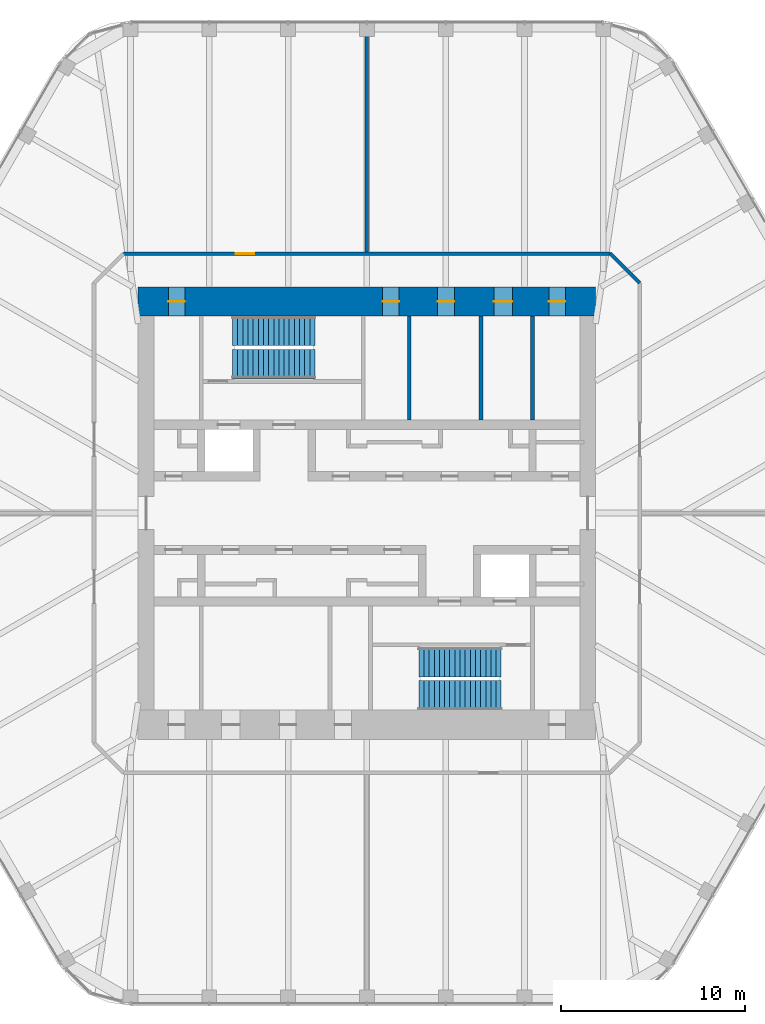
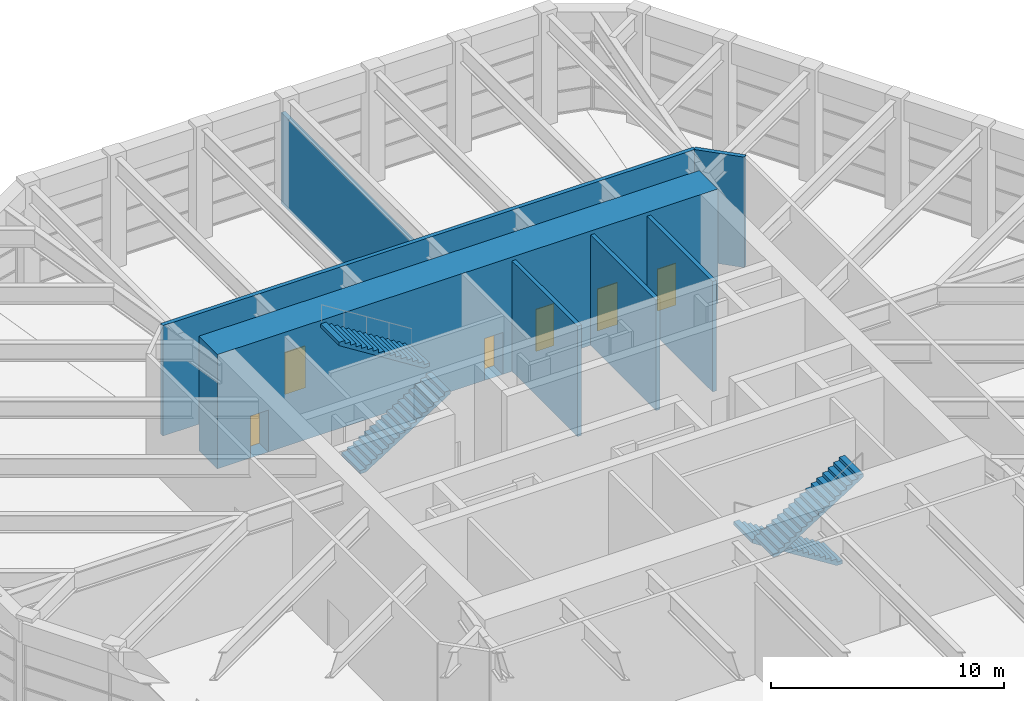
# One storey, part 15 of 16: 7 walls, 6 doors, 4 stair flights, 6 openings, 2 elements without a shape of their own.
"""IFC4 building model written with IfcOpenShell, lengths in metres."""

from ifc_helpers import new_model, si_unit, direction, frame, frame_2d, origin, place, context, subcontext, project, spatial, polyline, rectangle, outline, extrude, material, layer, layer_set, type_object, element, fill, aggregate, save


model = new_model("IFC4")

# Units and contexts
model_context = context("Model", 3, precision=1e-05, world=origin(), true_north=direction((0.0, 1.0)))
body_context = subcontext(model_context, "Body", "Model", "MODEL_VIEW")
ifc_project = project(units=[si_unit("LENGTHUNIT", "METRE"), si_unit("AREAUNIT", "SQUARE_METRE"), si_unit("VOLUMEUNIT", "CUBIC_METRE"), si_unit("PLANEANGLEUNIT", "RADIAN"), si_unit("MASSUNIT", "GRAM", prefix="KILO")], contexts=[model_context])

# Site, building, storey
site_placement = place(None, origin())
site = spatial("IfcSite", under=ifc_project, at=site_placement, CompositionType="ELEMENT")
building_placement = place(site_placement, origin())
building = spatial("IfcBuilding", under=site, at=building_placement, Name="Tarfa Lantern Tower", CompositionType="ELEMENT")
storey_placement = place(building_placement, frame((0.0, 0.0, 396.300048828125)))
storey = spatial("IfcBuildingStorey", under=building, at=storey_placement, Name="L90", CompositionType="ELEMENT", Elevation=396.300048828125)

# Walls
ifc_material_1 = material(Name="Concrete blockwork", Category="masonry")
ifc_layer_1 = layer(ifc_material_1, 0.199951171875)
ifc_layer_set_1 = layer_set([ifc_layer_1], Name="IW1 BLOCKWORK PARTITION 200 EI 120")
wall_type_1 = type_object("IfcWallType", Name="IW1 BLOCKWORK PARTITION 200 EI 120", PredefinedType="PARTITIONING", material=ifc_layer_set_1)
for number, where, z_axis, x_axis, name in (
    (1, (9.0, 5.050048828125, 0.0), (0.0, 0.0, 1.0), (0.0, 1.0, 0.0), "Core partition"),
    (2, (2.300048828125, 5.050048828125, 0.0), (0.0, 0.0, 1.0), (0.0, 1.0, 0.0), "Core partition"),
    (3, (6.199951171875, 5.050048828125, 0.0), (0.0, 0.0, 1.0), (0.0, 1.0, 0.0), "Core partition"),
):
    element("IfcWall", number, at=place(storey_placement, frame(where, z_axis=z_axis, x_axis=x_axis)), inside=storey, type_object=wall_type_1, Name=name, PredefinedType="PARTITIONING", context=body_context, shape_type="SweptSolid", body=[
        extrude(rectangle(XDim=5.64990234375, YDim=0.199951171875, at=frame_2d((2.824951171875, 0.0))), origin(), (0.0, 0.0, 1.0), 5.800048828125),
    ])

# Wall, opening, door
wall_1_placement = place(storey_placement, frame((-13.22509765625, 14.10009765625, 0.0), z_axis=(0.0, 0.0, 1.0), x_axis=(1.0, 0.0, 0.0)))
wall_1 = element("IfcWall", 4, at=wall_1_placement, inside=storey, type_object=wall_type_1, Name="Fire-rated partition", PredefinedType="PARTITIONING", context=body_context, shape_type="SweptSolid", body=[
    extrude(rectangle(XDim=26.4501953125, YDim=0.199951171875, at=frame_2d((13.22509765625, 0.0))), origin(), (0.0, 0.0, 1.0), 5.800048828125),
])
opening_1_placement = place(wall_1_placement, frame((6.112548828125, 0.0, 0.0)))
opening_1 = element("IfcOpeningElement", 5, at=opening_1_placement, cuts=wall_1, Name="Opening D33", PredefinedType="OPENING", context=body_context, shape_type="SweptSolid", body=[
    extrude(rectangle(XDim=1.0, YDim=2.199951171875, at=frame_2d((0.5, 1.10009765625))), frame((0.0, 0.10986328125, 0.0), z_axis=(0.0, -1.0, 0.0), x_axis=(1.0, 0.0, 0.0)), (0.0, 0.0, 1.0), 0.219970703125),
])
ifc_material_2 = material(Name="Timber door", Category="wood")
door_type_1 = type_object("IfcDoorType", Name="DR1 ROOM DOOR 1000x2200", OperationType="SINGLE_SWING_LEFT", PredefinedType="DOOR", material=ifc_material_2)
door_1_placement = place(opening_1_placement, origin())
door_1 = element("IfcDoor", 6, at=door_1_placement, inside=storey, type_object=door_type_1, Name="Corridor door", OperationType="SINGLE_SWING_RIGHT", OverallHeight=2.199951171875, OverallWidth=1.0, PredefinedType="DOOR", context=body_context, shape_type="SweptSolid", body=[
    extrude(rectangle(XDim=1.0, YDim=2.199951171875, at=frame_2d((0.5, 1.10009765625))), frame((0.0, 0.02490234375, 0.0), z_axis=(0.0, -1.0, 0.0), x_axis=(1.0, 0.0, 0.0)), (0.0, 0.0, 1.0), 0.050048828125),
])
fill(opening_1, door_1)

# Walls
wall_2_placement = place(storey_placement, frame((13.22509765625, 14.10009765625, 0.0), z_axis=(0.0, 0.0, 1.0), x_axis=(0.707052830339, -0.707160727918, 0.0)))
element("IfcWall", 7, at=wall_2_placement, inside=storey, type_object=wall_type_1, Name="Fire-rated partition", PredefinedType="PARTITIONING", context=body_context, shape_type="SweptSolid", body=[
    extrude(rectangle(XDim=2.2626953125, YDim=0.199951171875, at=frame_2d((1.13134765625, 0.0))), origin(), (0.0, 0.0, 1.0), 5.800048828125),
])
wall_3_placement = place(storey_placement, frame((0.0, 14.199951171875, 0.0), z_axis=(0.0, 0.0, 1.0), x_axis=(0.0, 1.0, 0.0)))
element("IfcWall", 8, at=wall_3_placement, inside=storey, type_object=wall_type_1, Name="Fire-rated partition", PredefinedType="PARTITIONING", context=body_context, shape_type="SweptSolid", body=[
    extrude(rectangle(XDim=12.360107421875, YDim=0.199951171875, at=frame_2d((6.18017578125, 0.0))), origin(), (0.0, 0.0, 1.0), 4.791748046875),
])

# Wall, openings, doors
ifc_material_3 = material(Name="Concrete C80/95", Category="concrete")
ifc_layer_2 = layer(ifc_material_3, 1.60009765625)
ifc_layer_set_2 = layer_set([ifc_layer_2], Name="SW7 CORE WALL 1600")
wall_type_2 = type_object("IfcWallType", Name="SW7 CORE WALL 1600", PredefinedType="SHEAR", material=ifc_layer_set_2)
wall_4_placement = place(storey_placement, frame((-12.425048828125, 11.5, 0.0), z_axis=(0.0, 0.0, 1.0), x_axis=(1.0, 0.0, 0.0)))
wall_4 = element("IfcWall", 9, at=wall_4_placement, inside=storey, type_object=wall_type_2, Name="Core wall N", PredefinedType="SHEAR", context=body_context, shape_type="SweptSolid", body=[
    extrude(rectangle(XDim=24.85009765625, YDim=1.60009765625, at=frame_2d((12.425048828125, 0.0))), origin(), (0.0, 0.0, 1.0), 6.0),
])
opening_2_placement = place(wall_4_placement, frame((13.27490234375, 0.0, 0.0)))
opening_2 = element("IfcOpeningElement", 10, at=opening_2_placement, cuts=wall_4, Name="Opening D21", PredefinedType="OPENING", context=body_context, shape_type="SweptSolid", body=[
    extrude(rectangle(XDim=0.89990234375, YDim=2.199951171875, at=frame_2d((0.449951171875, 1.10009765625))), frame((0.0, 0.81005859375, 0.0), z_axis=(0.0, -1.0, 0.0), x_axis=(1.0, 0.0, 0.0)), (0.0, 0.0, 1.0), 1.6201171875),
])
opening_3_placement = place(wall_4_placement, frame((16.27490234375, 0.0, 0.0)))
opening_3 = element("IfcOpeningElement", 11, at=opening_3_placement, cuts=wall_4, Name="Opening D23", PredefinedType="OPENING", context=body_context, shape_type="SweptSolid", body=[
    extrude(rectangle(XDim=0.89990234375, YDim=2.199951171875, at=frame_2d((0.449951171875, 1.10009765625))), frame((0.0, 0.81005859375, 0.0), z_axis=(0.0, -1.0, 0.0), x_axis=(1.0, 0.0, 0.0)), (0.0, 0.0, 1.0), 1.6201171875),
])
opening_4_placement = place(wall_4_placement, frame((19.324951171875, 0.0, 0.0)))
opening_4 = element("IfcOpeningElement", 12, at=opening_4_placement, cuts=wall_4, Name="Opening D25", PredefinedType="OPENING", context=body_context, shape_type="SweptSolid", body=[
    extrude(rectangle(XDim=1.0, YDim=2.199951171875, at=frame_2d((0.5, 1.10009765625))), frame((0.0, 0.81005859375, 0.0), z_axis=(0.0, -1.0, 0.0), x_axis=(1.0, 0.0, 0.0)), (0.0, 0.0, 1.0), 1.6201171875),
])
opening_5_placement = place(wall_4_placement, frame((1.637451171875, 0.0, 0.0)))
opening_5 = element("IfcOpeningElement", 13, at=opening_5_placement, cuts=wall_4, Name="Opening D03", PredefinedType="OPENING", context=body_context, shape_type="SweptSolid", body=[
    extrude(rectangle(XDim=0.89990234375, YDim=2.199951171875, at=frame_2d((0.449951171875, 1.10009765625))), frame((0.0, 0.81005859375, 0.0), z_axis=(0.0, -1.0, 0.0), x_axis=(1.0, 0.0, 0.0)), (0.0, 0.0, 1.0), 1.6201171875),
])
opening_6_placement = place(wall_4_placement, frame((22.3125, 0.0, 0.0)))
opening_6 = element("IfcOpeningElement", 14, at=opening_6_placement, cuts=wall_4, Name="Opening D01", PredefinedType="OPENING", context=body_context, shape_type="SweptSolid", body=[
    extrude(rectangle(XDim=0.89990234375, YDim=2.199951171875, at=frame_2d((0.449951171875, 1.10009765625))), frame((0.0, 0.81005859375, 0.0), z_axis=(0.0, -1.0, 0.0), x_axis=(1.0, 0.0, 0.0)), (0.0, 0.0, 1.0), 1.6201171875),
])
ifc_material_4 = material(Name="Steel fire door", Category="steel")
door_type_2 = type_object("IfcDoorType", Name="DF3 CORE ROOM DOOR 900x2200", OperationType="SINGLE_SWING_LEFT", PredefinedType="DOOR", material=ifc_material_4)
door_2_placement = place(opening_2_placement, frame((0.89990234375, 0.0, 0.0), z_axis=(0.0, 0.0, 1.0), x_axis=(-1.0, 0.0, 0.0)))
door_2 = element("IfcDoor", 15, at=door_2_placement, inside=storey, type_object=door_type_2, Name="Core door", OperationType="SINGLE_SWING_RIGHT", OverallHeight=2.199951171875, OverallWidth=0.89990234375, PredefinedType="DOOR", context=body_context, shape_type="SweptSolid", body=[
    extrude(rectangle(XDim=0.89990234375, YDim=2.199951171875, at=frame_2d((0.449951171875, 1.10009765625))), frame((0.0, 0.02490234375, 0.0), z_axis=(0.0, -1.0, 0.0), x_axis=(1.0, 0.0, 0.0)), (0.0, 0.0, 1.0), 0.050048828125),
])
fill(opening_2, door_2)
door_3_placement = place(opening_3_placement, frame((0.89990234375, 0.0, 0.0), z_axis=(0.0, 0.0, 1.0), x_axis=(-1.0, 0.0, 0.0)))
door_3 = element("IfcDoor", 16, at=door_3_placement, inside=storey, type_object=door_type_2, Name="Core door", OperationType="SINGLE_SWING_RIGHT", OverallHeight=2.199951171875, OverallWidth=0.89990234375, PredefinedType="DOOR", context=body_context, shape_type="SweptSolid", body=[
    extrude(rectangle(XDim=0.89990234375, YDim=2.199951171875, at=frame_2d((0.449951171875, 1.10009765625))), frame((0.0, 0.02490234375, 0.0), z_axis=(0.0, -1.0, 0.0), x_axis=(1.0, 0.0, 0.0)), (0.0, 0.0, 1.0), 0.050048828125),
])
fill(opening_3, door_3)
door_type_3 = type_object("IfcDoorType", Name="DF4 CORE ROOM DOOR 1000x2200", OperationType="SINGLE_SWING_LEFT", PredefinedType="DOOR", material=ifc_material_4)
door_4_placement = place(opening_4_placement, frame((1.0, 0.0, 0.0), z_axis=(0.0, 0.0, 1.0), x_axis=(-1.0, 0.0, 0.0)))
door_4 = element("IfcDoor", 17, at=door_4_placement, inside=storey, type_object=door_type_3, Name="Core door", OperationType="SINGLE_SWING_LEFT", OverallHeight=2.199951171875, OverallWidth=1.0, PredefinedType="DOOR", context=body_context, shape_type="SweptSolid", body=[
    extrude(rectangle(XDim=1.0, YDim=2.199951171875, at=frame_2d((0.5, 1.10009765625))), frame((0.0, 0.02490234375, 0.0), z_axis=(0.0, -1.0, 0.0), x_axis=(1.0, 0.0, 0.0)), (0.0, 0.0, 1.0), 0.050048828125),
])
fill(opening_4, door_4)
door_type_4 = type_object("IfcDoorType", Name="DF5 RISER DOOR 900x2200", OperationType="SINGLE_SWING_LEFT", PredefinedType="DOOR", material=ifc_material_4)
door_5_placement = place(opening_5_placement, frame((0.89990234375, 0.0, 0.0), z_axis=(0.0, 0.0, 1.0), x_axis=(-1.0, 0.0, 0.0)))
door_5 = element("IfcDoor", 18, at=door_5_placement, inside=storey, type_object=door_type_4, Name="Riser door", OperationType="SINGLE_SWING_LEFT", OverallHeight=2.199951171875, OverallWidth=0.89990234375, PredefinedType="DOOR", context=body_context, shape_type="SweptSolid", body=[
    extrude(rectangle(XDim=0.89990234375, YDim=2.199951171875, at=frame_2d((0.449951171875, 1.10009765625))), frame((0.0, 0.02490234375, 0.0), z_axis=(0.0, -1.0, 0.0), x_axis=(1.0, 0.0, 0.0)), (0.0, 0.0, 1.0), 0.050048828125),
])
fill(opening_5, door_5)
door_6_placement = place(opening_6_placement, frame((0.89990234375, 0.0, 0.0), z_axis=(0.0, 0.0, 1.0), x_axis=(-1.0, 0.0, 0.0)))
door_6 = element("IfcDoor", 19, at=door_6_placement, inside=storey, type_object=door_type_4, Name="Riser door", OperationType="SINGLE_SWING_RIGHT", OverallHeight=2.199951171875, OverallWidth=0.89990234375, PredefinedType="DOOR", context=body_context, shape_type="SweptSolid", body=[
    extrude(rectangle(XDim=0.89990234375, YDim=2.199951171875, at=frame_2d((0.449951171875, 1.10009765625))), frame((0.0, 0.02490234375, 0.0), z_axis=(0.0, -1.0, 0.0), x_axis=(1.0, 0.0, 0.0)), (0.0, 0.0, 1.0), 0.050048828125),
])
fill(opening_6, door_6)

# Stair, stair flights
ifc_material_5 = material(Name="Concrete C40/50", Category="concrete")
stair_type = type_object("IfcStairType", Name="ST-T5 HALF-TURN STAIR 6000 RISE", PredefinedType="HALF_TURN_STAIR", material=ifc_material_5)
stair_1_placement = place(storey_placement, origin())
stair_1 = element("IfcStair", 20, at=stair_1_placement, inside=storey, type_object=stair_type, Name="Stair ST1", PredefinedType="HALF_TURN_STAIR")
stair_flight_type = type_object("IfcStairFlightType", Name="SF1 STAIR FLIGHT", PredefinedType="STRAIGHT", material=ifc_material_5)
stair_flight_1_placement = place(storey_placement, frame((-7.300048828125, 8.10009765625, 0.0), z_axis=(0.0, 0.0, 1.0), x_axis=(1.0, 0.0, 0.0)))
stair_flight_1 = element("IfcStairFlight", 21, at=stair_flight_1_placement, type_object=stair_flight_type, Name="ST1 flight 1", NumberOfRisers=17, NumberOfTreads=16, PredefinedType="STRAIGHT", RiserHeight=0.176470588, TreadLength=0.28, context=body_context, shape_type="SweptSolid", body=[
    extrude(outline(polyline([(0.0, 0.0), (0.0, 0.176513671875), (0.280029296875, 0.176513671875), (0.280029296875, 0.35302734375), (0.56005859375, 0.35302734375), (0.56005859375, 0.529296875), (0.840087890625, 0.529296875), (0.840087890625, 0.705810546875), (1.1201171875, 0.705810546875), (1.1201171875, 0.88232421875), (1.39990234375, 0.88232421875), (1.39990234375, 1.058837890625), (1.679931640625, 1.058837890625), (1.679931640625, 1.2353515625), (1.9599609375, 1.2353515625), (1.9599609375, 1.411865234375), (2.239990234375, 1.411865234375), (2.239990234375, 1.588134765625), (2.52001953125, 1.588134765625), (2.52001953125, 1.7646484375), (2.800048828125, 1.7646484375), (2.800048828125, 1.941162109375), (3.080078125, 1.941162109375), (3.080078125, 2.11767578125), (3.360107421875, 2.11767578125), (3.360107421875, 2.294189453125), (3.639892578125, 2.294189453125), (3.639892578125, 2.470703125), (3.919921875, 2.470703125), (3.919921875, 2.64697265625), (4.199951171875, 2.64697265625), (4.199951171875, 2.823486328125), (4.47998046875, 2.823486328125), (4.47998046875, 3.0), (4.47998046875, 2.646240234375), (0.28125, 0.0), (0.0, 0.0)])), frame((0.0, 0.800048828125, 0.0), z_axis=(0.0, -1.0, 0.0), x_axis=(1.0, 0.0, 0.0)), (0.0, 0.0, 1.0), 1.60009765625),
])
stair_flight_2_placement = place(storey_placement, frame((-2.820068359375, 9.89990234375, 3.0), z_axis=(0.0, 0.0, 1.0), x_axis=(-1.0, 0.0, 0.0)))
stair_flight_2 = element("IfcStairFlight", 22, at=stair_flight_2_placement, type_object=stair_flight_type, Name="ST1 flight 2", NumberOfRisers=17, NumberOfTreads=16, PredefinedType="STRAIGHT", RiserHeight=0.176470588, TreadLength=0.28, context=body_context, shape_type="SweptSolid", body=[
    extrude(outline(polyline([(0.0, 0.0), (0.0, 0.176513671875), (0.280029296875, 0.176513671875), (0.280029296875, 0.35302734375), (0.56005859375, 0.35302734375), (0.56005859375, 0.529296875), (0.840087890625, 0.529296875), (0.840087890625, 0.705810546875), (1.1201171875, 0.705810546875), (1.1201171875, 0.88232421875), (1.39990234375, 0.88232421875), (1.39990234375, 1.058837890625), (1.679931640625, 1.058837890625), (1.679931640625, 1.2353515625), (1.9599609375, 1.2353515625), (1.9599609375, 1.411865234375), (2.239990234375, 1.411865234375), (2.239990234375, 1.588134765625), (2.52001953125, 1.588134765625), (2.52001953125, 1.7646484375), (2.800048828125, 1.7646484375), (2.800048828125, 1.941162109375), (3.080078125, 1.941162109375), (3.080078125, 2.11767578125), (3.360107421875, 2.11767578125), (3.360107421875, 2.294189453125), (3.639892578125, 2.294189453125), (3.639892578125, 2.470703125), (3.919921875, 2.470703125), (3.919921875, 2.64697265625), (4.199951171875, 2.64697265625), (4.199951171875, 2.823486328125), (4.47998046875, 2.823486328125), (4.47998046875, 3.0), (4.47998046875, 2.646240234375), (0.28125, 0.0), (0.0, 0.0)])), frame((0.0, 0.800048828125, 0.0), z_axis=(0.0, -1.0, 0.0), x_axis=(1.0, 0.0, 0.0)), (0.0, 0.0, 1.0), 1.60009765625),
])
aggregate(stair_1, [stair_flight_1, stair_flight_2])

stair_2_placement = place(storey_placement, origin())
stair_2 = element("IfcStair", 23, at=stair_2_placement, inside=storey, type_object=stair_type, Name="Stair ST2", PredefinedType="HALF_TURN_STAIR")
stair_flight_3_placement = place(storey_placement, frame((7.300048828125, -8.10009765625, 0.0), z_axis=(0.0, 0.0, 1.0), x_axis=(-1.0, 0.0, 0.0)))
stair_flight_3 = element("IfcStairFlight", 24, at=stair_flight_3_placement, type_object=stair_flight_type, Name="ST2 flight 1", NumberOfRisers=17, NumberOfTreads=16, PredefinedType="STRAIGHT", RiserHeight=0.176470588, TreadLength=0.28, context=body_context, shape_type="SweptSolid", body=[
    extrude(outline(polyline([(0.0, 0.0), (0.0, 0.176513671875), (0.280029296875, 0.176513671875), (0.280029296875, 0.35302734375), (0.56005859375, 0.35302734375), (0.56005859375, 0.529296875), (0.840087890625, 0.529296875), (0.840087890625, 0.705810546875), (1.1201171875, 0.705810546875), (1.1201171875, 0.88232421875), (1.39990234375, 0.88232421875), (1.39990234375, 1.058837890625), (1.679931640625, 1.058837890625), (1.679931640625, 1.2353515625), (1.9599609375, 1.2353515625), (1.9599609375, 1.411865234375), (2.239990234375, 1.411865234375), (2.239990234375, 1.588134765625), (2.52001953125, 1.588134765625), (2.52001953125, 1.7646484375), (2.800048828125, 1.7646484375), (2.800048828125, 1.941162109375), (3.080078125, 1.941162109375), (3.080078125, 2.11767578125), (3.360107421875, 2.11767578125), (3.360107421875, 2.294189453125), (3.639892578125, 2.294189453125), (3.639892578125, 2.470703125), (3.919921875, 2.470703125), (3.919921875, 2.64697265625), (4.199951171875, 2.64697265625), (4.199951171875, 2.823486328125), (4.47998046875, 2.823486328125), (4.47998046875, 3.0), (4.47998046875, 2.646240234375), (0.28125, 0.0), (0.0, 0.0)])), frame((0.0, 0.800048828125, 0.0), z_axis=(0.0, -1.0, 0.0), x_axis=(1.0, 0.0, 0.0)), (0.0, 0.0, 1.0), 1.60009765625),
])
stair_flight_4_placement = place(storey_placement, frame((2.820068359375, -9.89990234375, 3.0), z_axis=(0.0, 0.0, 1.0), x_axis=(1.0, 0.0, 0.0)))
stair_flight_4 = element("IfcStairFlight", 25, at=stair_flight_4_placement, type_object=stair_flight_type, Name="ST2 flight 2", NumberOfRisers=17, NumberOfTreads=16, PredefinedType="STRAIGHT", RiserHeight=0.176470588, TreadLength=0.28, context=body_context, shape_type="SweptSolid", body=[
    extrude(outline(polyline([(0.0, 0.0), (0.0, 0.176513671875), (0.280029296875, 0.176513671875), (0.280029296875, 0.35302734375), (0.56005859375, 0.35302734375), (0.56005859375, 0.529296875), (0.840087890625, 0.529296875), (0.840087890625, 0.705810546875), (1.1201171875, 0.705810546875), (1.1201171875, 0.88232421875), (1.39990234375, 0.88232421875), (1.39990234375, 1.058837890625), (1.679931640625, 1.058837890625), (1.679931640625, 1.2353515625), (1.9599609375, 1.2353515625), (1.9599609375, 1.411865234375), (2.239990234375, 1.411865234375), (2.239990234375, 1.588134765625), (2.52001953125, 1.588134765625), (2.52001953125, 1.7646484375), (2.800048828125, 1.7646484375), (2.800048828125, 1.941162109375), (3.080078125, 1.941162109375), (3.080078125, 2.11767578125), (3.360107421875, 2.11767578125), (3.360107421875, 2.294189453125), (3.639892578125, 2.294189453125), (3.639892578125, 2.470703125), (3.919921875, 2.470703125), (3.919921875, 2.64697265625), (4.199951171875, 2.64697265625), (4.199951171875, 2.823486328125), (4.47998046875, 2.823486328125), (4.47998046875, 3.0), (4.47998046875, 2.646240234375), (0.28125, 0.0), (0.0, 0.0)])), frame((0.0, 0.800048828125, 0.0), z_axis=(0.0, -1.0, 0.0), x_axis=(1.0, 0.0, 0.0)), (0.0, 0.0, 1.0), 1.60009765625),
])
aggregate(stair_2, [stair_flight_3, stair_flight_4])

save(model, "model.ifc")
